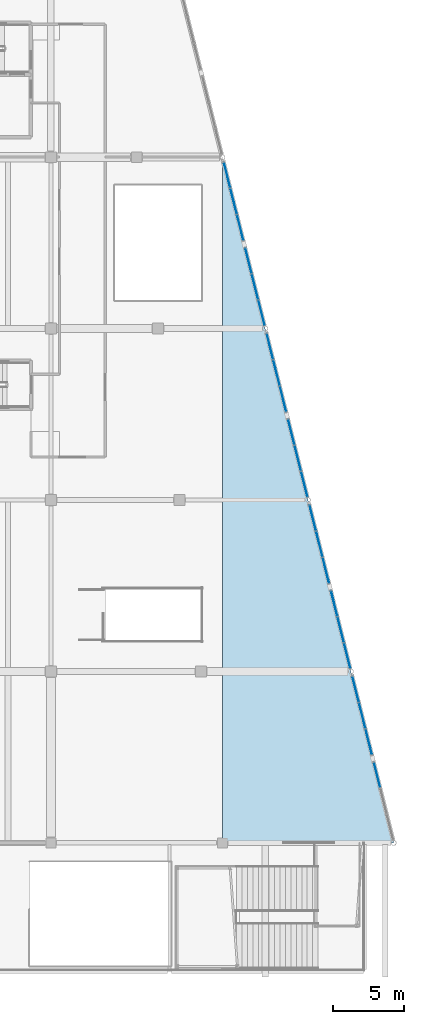
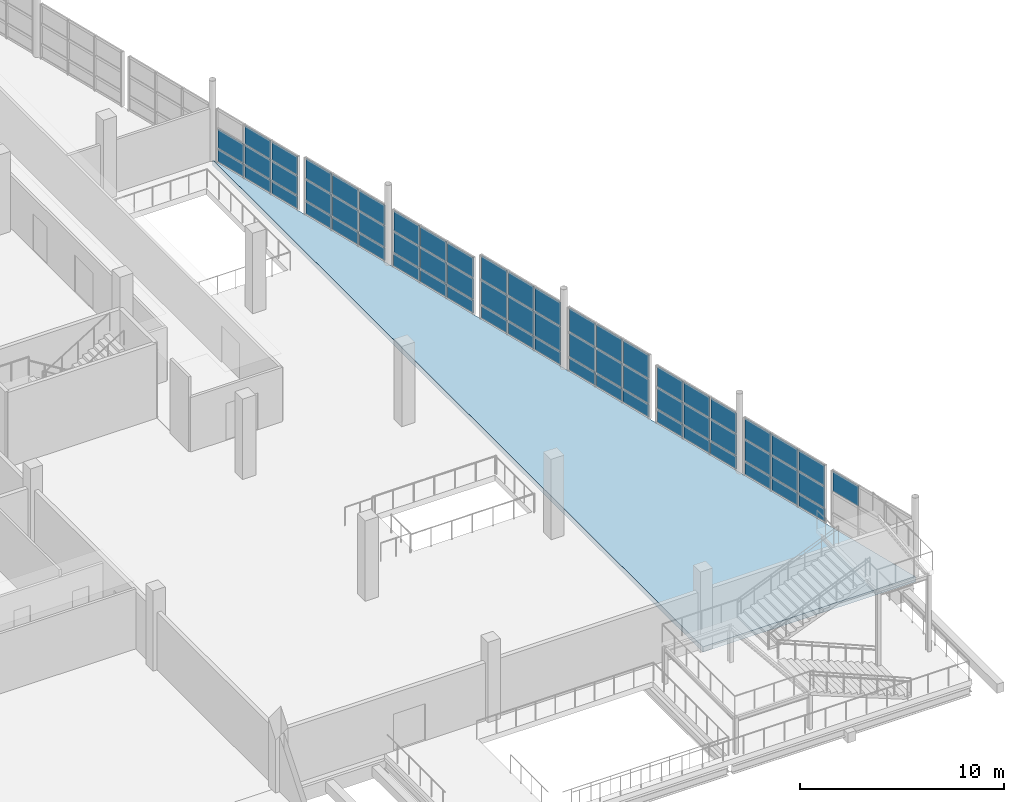
# One storey, part 65 of 112: 63 plates, 1 slab, 8 elements without a shape of their own.
"""IFC4 building model written with IfcOpenShell, lengths in metres."""

from ifc_helpers import new_model, si_unit, direction, frame, origin, origin_2d, place, context, subcontext, project, spatial, polyline, rectangle, outline, extrude, material, layer, layer_set, type_object, element, aggregate, save


model = new_model("IFC4")

# Units and contexts
model_context = context("Model", 3, precision=1e-05, world=origin(), true_north=direction((0.0, 1.0)))
body_context = subcontext(model_context, "Body", "Model", "MODEL_VIEW")
ifc_project = project(units=[si_unit("LENGTHUNIT", "METRE"), si_unit("AREAUNIT", "SQUARE_METRE"), si_unit("VOLUMEUNIT", "CUBIC_METRE"), si_unit("PLANEANGLEUNIT", "RADIAN"), si_unit("MASSUNIT", "GRAM", prefix="KILO")], contexts=[model_context])

# Site, building, storey
site_placement = place(None, origin())
site = spatial("IfcSite", under=ifc_project, at=site_placement, CompositionType="ELEMENT")
building_placement = place(site_placement, origin())
building = spatial("IfcBuilding", under=site, at=building_placement, Name="Kamomehara Wholesale Market", CompositionType="ELEMENT")
storey_placement = place(building_placement, frame((0.0, 0.0, 6.60009765625)))
storey = spatial("IfcBuildingStorey", under=building, at=storey_placement, Name="L01", CompositionType="ELEMENT", Elevation=6.60009765625)

# Curtain wall, plates
ifc_material_1 = material(Name="Anodised aluminium 6063-T5", Category="aluminium")
curtain_wall_type = type_object("IfcCurtainWallType", Name="CW-UN-09", PredefinedType="NOTDEFINED", material=ifc_material_1)
curtain_wall_1_placement = place(storey_placement, origin())
curtain_wall_1 = element("IfcCurtainWall", 1, at=curtain_wall_1_placement, inside=storey, type_object=curtain_wall_type, Name="Unitised curtain wall CW-177", PredefinedType="NOTDEFINED")
ifc_material_2 = material(Name="Solar-control Low-E double glazing", Category="glass")
ifc_layer_1 = layer(ifc_material_2, 0.028076171875)
ifc_layer_set_1 = layer_set([ifc_layer_1], Name="Solar-control Low-E double glazing")
plate_type_1 = type_object("IfcPlateType", Name="CW-PNL-GLZ", PredefinedType="CURTAIN_PANEL", material=ifc_layer_set_1)
plate_1_placement = place(storey_placement, frame((201.333984375, 34.74609375, 0.88037109375), z_axis=(0.0, 0.0, 1.0), x_axis=(0.242616162662, -0.970122362187, 0.0)))
plate_1 = element("IfcPlate", 2, at=plate_1_placement, type_object=plate_type_1, Name="Curtain panel CW-177.0.1", PredefinedType="CURTAIN_PANEL", context=body_context, shape_type="SweptSolid", body=[
    extrude(rectangle(XDim=1.81494140625, YDim=0.028076171875, at=origin_2d()), origin(), (0.0, 0.0, 1.0), 1.259033203125),
])
plate_2_placement = place(storey_placement, frame((201.333984375, 34.74609375, 2.19921875), z_axis=(0.0, 0.0, 1.0), x_axis=(0.242616162662, -0.970122362187, 0.0)))
plate_2 = element("IfcPlate", 3, at=plate_2_placement, type_object=plate_type_1, Name="Curtain panel CW-177.0.2", PredefinedType="CURTAIN_PANEL", context=body_context, shape_type="SweptSolid", body=[
    extrude(rectangle(XDim=1.81494140625, YDim=0.028076171875, at=origin_2d()), origin(), (0.0, 0.0, 1.0), 1.218994140625),
])
plate_3_placement = place(storey_placement, frame((201.7939453125, 32.907958984375, 0.88037109375), z_axis=(0.0, 0.0, 1.0), x_axis=(0.242616162662, -0.970122362187, 0.0)))
plate_3 = element("IfcPlate", 4, at=plate_3_placement, type_object=plate_type_1, Name="Curtain panel CW-177.1.1", PredefinedType="CURTAIN_PANEL", context=body_context, shape_type="SweptSolid", body=[
    extrude(rectangle(XDim=1.81494140625, YDim=0.028076171875, at=origin_2d()), origin(), (0.0, 0.0, 1.0), 1.259033203125),
])
plate_4_placement = place(storey_placement, frame((201.7939453125, 32.907958984375, 2.19921875), z_axis=(0.0, 0.0, 1.0), x_axis=(0.242616162662, -0.970122362187, 0.0)))
plate_4 = element("IfcPlate", 5, at=plate_4_placement, type_object=plate_type_1, Name="Curtain panel CW-177.1.2", PredefinedType="CURTAIN_PANEL", context=body_context, shape_type="SweptSolid", body=[
    extrude(rectangle(XDim=1.81494140625, YDim=0.028076171875, at=origin_2d()), origin(), (0.0, 0.0, 1.0), 1.218994140625),
])
plate_5_placement = place(storey_placement, frame((202.25390625, 31.070068359375, 0.88037109375), z_axis=(0.0, 0.0, 1.0), x_axis=(0.242616162662, -0.970122362187, 0.0)))
plate_5 = element("IfcPlate", 6, at=plate_5_placement, type_object=plate_type_1, Name="Curtain panel CW-177.2.1", PredefinedType="CURTAIN_PANEL", context=body_context, shape_type="SweptSolid", body=[
    extrude(rectangle(XDim=1.81494140625, YDim=0.028076171875, at=origin_2d()), origin(), (0.0, 0.0, 1.0), 1.259033203125),
])
plate_6_placement = place(storey_placement, frame((202.25390625, 31.070068359375, 2.19921875), z_axis=(0.0, 0.0, 1.0), x_axis=(0.242616162662, -0.970122362187, 0.0)))
plate_6 = element("IfcPlate", 7, at=plate_6_placement, type_object=plate_type_1, Name="Curtain panel CW-177.2.2", PredefinedType="CURTAIN_PANEL", context=body_context, shape_type="SweptSolid", body=[
    extrude(rectangle(XDim=1.81494140625, YDim=0.028076171875, at=origin_2d()), origin(), (0.0, 0.0, 1.0), 1.218994140625),
])

# Curtain wall, plate
curtain_wall_2_placement = place(storey_placement, origin())
curtain_wall_2 = element("IfcCurtainWall", 8, at=curtain_wall_2_placement, inside=storey, type_object=curtain_wall_type, Name="Unitised curtain wall CW-178", PredefinedType="NOTDEFINED")
plate_7_placement = place(storey_placement, frame((202.8330078125, 28.751953125, 2.17626953125), z_axis=(0.0, 0.0, 1.0), x_axis=(0.242446840674, -0.97016469192, 0.0)))
plate_7 = element("IfcPlate", 9, at=plate_7_placement, type_object=plate_type_1, Name="Curtain panel CW-178.0.2", PredefinedType="CURTAIN_PANEL", context=body_context, shape_type="SweptSolid", body=[
    extrude(rectangle(XDim=1.802001953125, YDim=0.028076171875, at=origin_2d()), origin(), (0.0, 0.0, 1.0), 1.197021484375),
])
aggregate(curtain_wall_2, [plate_7])

# Curtain wall, plates
curtain_wall_3_placement = place(storey_placement, origin())
curtain_wall_3 = element("IfcCurtainWall", 10, at=curtain_wall_3_placement, inside=storey, type_object=curtain_wall_type, Name="Unitised curtain wall CW-179", PredefinedType="NOTDEFINED")
plate_8_placement = place(storey_placement, frame((198.333984375, 46.74609375, 0.8798828125), z_axis=(0.0, 0.0, 1.0), x_axis=(0.242616162662, -0.970122362187, 0.0)))
plate_8 = element("IfcPlate", 11, at=plate_8_placement, type_object=plate_type_1, Name="Curtain panel CW-179.0.1", PredefinedType="CURTAIN_PANEL", context=body_context, shape_type="SweptSolid", body=[
    extrude(rectangle(XDim=1.81494140625, YDim=0.028076171875, at=origin_2d()), origin(), (0.0, 0.0, 1.0), 1.43994140625),
])
plate_9_placement = place(storey_placement, frame((198.333984375, 46.74609375, 2.3798828125), z_axis=(0.0, 0.0, 1.0), x_axis=(0.242616162662, -0.970122362187, 0.0)))
plate_9 = element("IfcPlate", 12, at=plate_9_placement, type_object=plate_type_1, Name="Curtain panel CW-179.0.2", PredefinedType="CURTAIN_PANEL", context=body_context, shape_type="SweptSolid", body=[
    extrude(rectangle(XDim=1.81494140625, YDim=0.028076171875, at=origin_2d()), origin(), (0.0, 0.0, 1.0), 1.39990234375),
])
plate_10_placement = place(storey_placement, frame((198.7939453125, 44.907958984375, 0.8798828125), z_axis=(0.0, 0.0, 1.0), x_axis=(0.242616162662, -0.970122362187, 0.0)))
plate_10 = element("IfcPlate", 13, at=plate_10_placement, type_object=plate_type_1, Name="Curtain panel CW-179.1.1", PredefinedType="CURTAIN_PANEL", context=body_context, shape_type="SweptSolid", body=[
    extrude(rectangle(XDim=1.81494140625, YDim=0.028076171875, at=origin_2d()), origin(), (0.0, 0.0, 1.0), 1.43994140625),
])
plate_11_placement = place(storey_placement, frame((198.7939453125, 44.907958984375, 2.3798828125), z_axis=(0.0, 0.0, 1.0), x_axis=(0.242616162662, -0.970122362187, 0.0)))
plate_11 = element("IfcPlate", 14, at=plate_11_placement, type_object=plate_type_1, Name="Curtain panel CW-179.1.2", PredefinedType="CURTAIN_PANEL", context=body_context, shape_type="SweptSolid", body=[
    extrude(rectangle(XDim=1.81494140625, YDim=0.028076171875, at=origin_2d()), origin(), (0.0, 0.0, 1.0), 1.39990234375),
])
plate_12_placement = place(storey_placement, frame((199.25390625, 43.070068359375, 0.8798828125), z_axis=(0.0, 0.0, 1.0), x_axis=(0.242616162662, -0.970122362187, 0.0)))
plate_12 = element("IfcPlate", 15, at=plate_12_placement, type_object=plate_type_1, Name="Curtain panel CW-179.2.1", PredefinedType="CURTAIN_PANEL", context=body_context, shape_type="SweptSolid", body=[
    extrude(rectangle(XDim=1.81494140625, YDim=0.028076171875, at=origin_2d()), origin(), (0.0, 0.0, 1.0), 1.43994140625),
])
plate_13_placement = place(storey_placement, frame((199.25390625, 43.070068359375, 2.3798828125), z_axis=(0.0, 0.0, 1.0), x_axis=(0.242616162662, -0.970122362187, 0.0)))
plate_13 = element("IfcPlate", 16, at=plate_13_placement, type_object=plate_type_1, Name="Curtain panel CW-179.2.2", PredefinedType="CURTAIN_PANEL", context=body_context, shape_type="SweptSolid", body=[
    extrude(rectangle(XDim=1.81494140625, YDim=0.028076171875, at=origin_2d()), origin(), (0.0, 0.0, 1.0), 1.39990234375),
])

curtain_wall_4_placement = place(storey_placement, origin())
curtain_wall_4 = element("IfcCurtainWall", 17, at=curtain_wall_4_placement, inside=storey, type_object=curtain_wall_type, Name="Unitised curtain wall CW-180", PredefinedType="NOTDEFINED")
plate_14_placement = place(storey_placement, frame((199.8330078125, 40.751953125, 0.88037109375), z_axis=(0.0, 0.0, 1.0), x_axis=(0.242446840674, -0.97016469192, 0.0)))
plate_14 = element("IfcPlate", 18, at=plate_14_placement, type_object=plate_type_1, Name="Curtain panel CW-180.0.1", PredefinedType="CURTAIN_PANEL", context=body_context, shape_type="SweptSolid", body=[
    extrude(rectangle(XDim=1.802001953125, YDim=0.028076171875, at=origin_2d()), origin(), (0.0, 0.0, 1.0), 1.259033203125),
])
plate_15_placement = place(storey_placement, frame((199.8330078125, 40.751953125, 2.19921875), z_axis=(0.0, 0.0, 1.0), x_axis=(0.242446840674, -0.97016469192, 0.0)))
plate_15 = element("IfcPlate", 19, at=plate_15_placement, type_object=plate_type_1, Name="Curtain panel CW-180.0.2", PredefinedType="CURTAIN_PANEL", context=body_context, shape_type="SweptSolid", body=[
    extrude(rectangle(XDim=1.802001953125, YDim=0.028076171875, at=origin_2d()), origin(), (0.0, 0.0, 1.0), 1.218994140625),
])
plate_16_placement = place(storey_placement, frame((200.2890625, 38.926025390625, 0.88037109375), z_axis=(0.0, 0.0, 1.0), x_axis=(0.242446840674, -0.97016469192, 0.0)))
plate_16 = element("IfcPlate", 20, at=plate_16_placement, type_object=plate_type_1, Name="Curtain panel CW-180.1.1", PredefinedType="CURTAIN_PANEL", context=body_context, shape_type="SweptSolid", body=[
    extrude(rectangle(XDim=1.802001953125, YDim=0.028076171875, at=origin_2d()), origin(), (0.0, 0.0, 1.0), 1.259033203125),
])
plate_17_placement = place(storey_placement, frame((200.2890625, 38.926025390625, 2.19921875), z_axis=(0.0, 0.0, 1.0), x_axis=(0.242446840674, -0.97016469192, 0.0)))
plate_17 = element("IfcPlate", 21, at=plate_17_placement, type_object=plate_type_1, Name="Curtain panel CW-180.1.2", PredefinedType="CURTAIN_PANEL", context=body_context, shape_type="SweptSolid", body=[
    extrude(rectangle(XDim=1.802001953125, YDim=0.028076171875, at=origin_2d()), origin(), (0.0, 0.0, 1.0), 1.218994140625),
])
plate_18_placement = place(storey_placement, frame((200.7451171875, 37.10009765625, 0.88037109375), z_axis=(0.0, 0.0, 1.0), x_axis=(0.242446840674, -0.97016469192, 0.0)))
plate_18 = element("IfcPlate", 22, at=plate_18_placement, type_object=plate_type_1, Name="Curtain panel CW-180.2.1", PredefinedType="CURTAIN_PANEL", context=body_context, shape_type="SweptSolid", body=[
    extrude(rectangle(XDim=1.802001953125, YDim=0.028076171875, at=origin_2d()), origin(), (0.0, 0.0, 1.0), 1.259033203125),
])
plate_19_placement = place(storey_placement, frame((200.7451171875, 37.10009765625, 2.19921875), z_axis=(0.0, 0.0, 1.0), x_axis=(0.242446840674, -0.97016469192, 0.0)))
plate_19 = element("IfcPlate", 23, at=plate_19_placement, type_object=plate_type_1, Name="Curtain panel CW-180.2.2", PredefinedType="CURTAIN_PANEL", context=body_context, shape_type="SweptSolid", body=[
    extrude(rectangle(XDim=1.802001953125, YDim=0.028076171875, at=origin_2d()), origin(), (0.0, 0.0, 1.0), 1.218994140625),
])

curtain_wall_5_placement = place(storey_placement, origin())
curtain_wall_5 = element("IfcCurtainWall", 24, at=curtain_wall_5_placement, inside=storey, type_object=curtain_wall_type, Name="Unitised curtain wall CW-181", PredefinedType="NOTDEFINED")
plate_20_placement = place(storey_placement, frame((195.333984375, 58.74609375, 0.88037109375), z_axis=(0.0, 0.0, 1.0), x_axis=(0.242616162662, -0.970122362187, 0.0)))
plate_20 = element("IfcPlate", 25, at=plate_20_placement, type_object=plate_type_1, Name="Curtain panel CW-181.0.1", PredefinedType="CURTAIN_PANEL", context=body_context, shape_type="SweptSolid", body=[
    extrude(rectangle(XDim=1.81494140625, YDim=0.028076171875, at=origin_2d()), origin(), (0.0, 0.0, 1.0), 1.239013671875),
])
plate_21_placement = place(storey_placement, frame((195.333984375, 58.74609375, 2.17822265625), z_axis=(0.0, 0.0, 1.0), x_axis=(0.242616162662, -0.970122362187, 0.0)))
plate_21 = element("IfcPlate", 26, at=plate_21_placement, type_object=plate_type_1, Name="Curtain panel CW-181.0.2", PredefinedType="CURTAIN_PANEL", context=body_context, shape_type="SweptSolid", body=[
    extrude(rectangle(XDim=1.81494140625, YDim=0.028076171875, at=origin_2d()), origin(), (0.0, 0.0, 1.0), 1.198974609375),
])
plate_22_placement = place(storey_placement, frame((195.7939453125, 56.907958984375, 0.88037109375), z_axis=(0.0, 0.0, 1.0), x_axis=(0.242616162662, -0.970122362187, 0.0)))
plate_22 = element("IfcPlate", 27, at=plate_22_placement, type_object=plate_type_1, Name="Curtain panel CW-181.1.1", PredefinedType="CURTAIN_PANEL", context=body_context, shape_type="SweptSolid", body=[
    extrude(rectangle(XDim=1.81494140625, YDim=0.028076171875, at=origin_2d()), origin(), (0.0, 0.0, 1.0), 1.239013671875),
])
plate_23_placement = place(storey_placement, frame((195.7939453125, 56.907958984375, 2.17822265625), z_axis=(0.0, 0.0, 1.0), x_axis=(0.242616162662, -0.970122362187, 0.0)))
plate_23 = element("IfcPlate", 28, at=plate_23_placement, type_object=plate_type_1, Name="Curtain panel CW-181.1.2", PredefinedType="CURTAIN_PANEL", context=body_context, shape_type="SweptSolid", body=[
    extrude(rectangle(XDim=1.81494140625, YDim=0.028076171875, at=origin_2d()), origin(), (0.0, 0.0, 1.0), 1.198974609375),
])
plate_24_placement = place(storey_placement, frame((196.25390625, 55.070068359375, 0.88037109375), z_axis=(0.0, 0.0, 1.0), x_axis=(0.242616162662, -0.970122362187, 0.0)))
plate_24 = element("IfcPlate", 29, at=plate_24_placement, type_object=plate_type_1, Name="Curtain panel CW-181.2.1", PredefinedType="CURTAIN_PANEL", context=body_context, shape_type="SweptSolid", body=[
    extrude(rectangle(XDim=1.81494140625, YDim=0.028076171875, at=origin_2d()), origin(), (0.0, 0.0, 1.0), 1.239013671875),
])
plate_25_placement = place(storey_placement, frame((196.25390625, 55.070068359375, 2.17822265625), z_axis=(0.0, 0.0, 1.0), x_axis=(0.242616162662, -0.970122362187, 0.0)))
plate_25 = element("IfcPlate", 30, at=plate_25_placement, type_object=plate_type_1, Name="Curtain panel CW-181.2.2", PredefinedType="CURTAIN_PANEL", context=body_context, shape_type="SweptSolid", body=[
    extrude(rectangle(XDim=1.81494140625, YDim=0.028076171875, at=origin_2d()), origin(), (0.0, 0.0, 1.0), 1.198974609375),
])

curtain_wall_6_placement = place(storey_placement, origin())
curtain_wall_6 = element("IfcCurtainWall", 31, at=curtain_wall_6_placement, inside=storey, type_object=curtain_wall_type, Name="Unitised curtain wall CW-182", PredefinedType="NOTDEFINED")
plate_26_placement = place(storey_placement, frame((196.8330078125, 52.751953125, 0.88037109375), z_axis=(0.0, 0.0, 1.0), x_axis=(0.242446840674, -0.97016469192, 0.0)))
plate_26 = element("IfcPlate", 32, at=plate_26_placement, type_object=plate_type_1, Name="Curtain panel CW-182.0.1", PredefinedType="CURTAIN_PANEL", context=body_context, shape_type="SweptSolid", body=[
    extrude(rectangle(XDim=1.802001953125, YDim=0.028076171875, at=origin_2d()), origin(), (0.0, 0.0, 1.0), 1.445068359375),
])
plate_27_placement = place(storey_placement, frame((196.8330078125, 52.751953125, 2.38525390625), z_axis=(0.0, 0.0, 1.0), x_axis=(0.242446840674, -0.97016469192, 0.0)))
plate_27 = element("IfcPlate", 33, at=plate_27_placement, type_object=plate_type_1, Name="Curtain panel CW-182.0.2", PredefinedType="CURTAIN_PANEL", context=body_context, shape_type="SweptSolid", body=[
    extrude(rectangle(XDim=1.802001953125, YDim=0.028076171875, at=origin_2d()), origin(), (0.0, 0.0, 1.0), 1.405029296875),
])
plate_28_placement = place(storey_placement, frame((197.2890625, 50.926025390625, 0.88037109375), z_axis=(0.0, 0.0, 1.0), x_axis=(0.242446840674, -0.97016469192, 0.0)))
plate_28 = element("IfcPlate", 34, at=plate_28_placement, type_object=plate_type_1, Name="Curtain panel CW-182.1.1", PredefinedType="CURTAIN_PANEL", context=body_context, shape_type="SweptSolid", body=[
    extrude(rectangle(XDim=1.802001953125, YDim=0.028076171875, at=origin_2d()), origin(), (0.0, 0.0, 1.0), 1.445068359375),
])
plate_29_placement = place(storey_placement, frame((197.2890625, 50.926025390625, 2.38525390625), z_axis=(0.0, 0.0, 1.0), x_axis=(0.242446840674, -0.97016469192, 0.0)))
plate_29 = element("IfcPlate", 35, at=plate_29_placement, type_object=plate_type_1, Name="Curtain panel CW-182.1.2", PredefinedType="CURTAIN_PANEL", context=body_context, shape_type="SweptSolid", body=[
    extrude(rectangle(XDim=1.802001953125, YDim=0.028076171875, at=origin_2d()), origin(), (0.0, 0.0, 1.0), 1.405029296875),
])
plate_30_placement = place(storey_placement, frame((197.7451171875, 49.10009765625, 0.88037109375), z_axis=(0.0, 0.0, 1.0), x_axis=(0.242446840674, -0.97016469192, 0.0)))
plate_30 = element("IfcPlate", 36, at=plate_30_placement, type_object=plate_type_1, Name="Curtain panel CW-182.2.1", PredefinedType="CURTAIN_PANEL", context=body_context, shape_type="SweptSolid", body=[
    extrude(rectangle(XDim=1.802001953125, YDim=0.028076171875, at=origin_2d()), origin(), (0.0, 0.0, 1.0), 1.445068359375),
])
plate_31_placement = place(storey_placement, frame((197.7451171875, 49.10009765625, 2.38525390625), z_axis=(0.0, 0.0, 1.0), x_axis=(0.242446840674, -0.97016469192, 0.0)))
plate_31 = element("IfcPlate", 37, at=plate_31_placement, type_object=plate_type_1, Name="Curtain panel CW-182.2.2", PredefinedType="CURTAIN_PANEL", context=body_context, shape_type="SweptSolid", body=[
    extrude(rectangle(XDim=1.802001953125, YDim=0.028076171875, at=origin_2d()), origin(), (0.0, 0.0, 1.0), 1.405029296875),
])

curtain_wall_7_placement = place(storey_placement, origin())
curtain_wall_7 = element("IfcCurtainWall", 38, at=curtain_wall_7_placement, inside=storey, type_object=curtain_wall_type, Name="Unitised curtain wall CW-183", PredefinedType="NOTDEFINED")
plate_32_placement = place(storey_placement, frame((192.333984375, 70.74609375, 0.88037109375), z_axis=(0.0, 0.0, 1.0), x_axis=(0.242616162662, -0.970122362187, 0.0)))
plate_32 = element("IfcPlate", 39, at=plate_32_placement, type_object=plate_type_1, Name="Curtain panel CW-183.0.1", PredefinedType="CURTAIN_PANEL", context=body_context, shape_type="SweptSolid", body=[
    extrude(rectangle(XDim=1.81494140625, YDim=0.028076171875, at=origin_2d()), origin(), (0.0, 0.0, 1.0), 1.138916015625),
])
plate_33_placement = place(storey_placement, frame((192.7939453125, 68.907958984375, 0.88037109375), z_axis=(0.0, 0.0, 1.0), x_axis=(0.242616162662, -0.970122362187, 0.0)))
plate_33 = element("IfcPlate", 40, at=plate_33_placement, type_object=plate_type_1, Name="Curtain panel CW-183.1.1", PredefinedType="CURTAIN_PANEL", context=body_context, shape_type="SweptSolid", body=[
    extrude(rectangle(XDim=1.81494140625, YDim=0.028076171875, at=origin_2d()), origin(), (0.0, 0.0, 1.0), 1.138916015625),
])
plate_34_placement = place(storey_placement, frame((192.7939453125, 68.907958984375, 2.079345703125), z_axis=(0.0, 0.0, 1.0), x_axis=(0.242616162662, -0.970122362187, 0.0)))
plate_34 = element("IfcPlate", 41, at=plate_34_placement, type_object=plate_type_1, Name="Curtain panel CW-183.1.2", PredefinedType="CURTAIN_PANEL", context=body_context, shape_type="SweptSolid", body=[
    extrude(rectangle(XDim=1.81494140625, YDim=0.028076171875, at=origin_2d()), origin(), (0.0, 0.0, 1.0), 1.09912109375),
])
plate_35_placement = place(storey_placement, frame((193.25390625, 67.070068359375, 0.88037109375), z_axis=(0.0, 0.0, 1.0), x_axis=(0.242616162662, -0.970122362187, 0.0)))
plate_35 = element("IfcPlate", 42, at=plate_35_placement, type_object=plate_type_1, Name="Curtain panel CW-183.2.1", PredefinedType="CURTAIN_PANEL", context=body_context, shape_type="SweptSolid", body=[
    extrude(rectangle(XDim=1.81494140625, YDim=0.028076171875, at=origin_2d()), origin(), (0.0, 0.0, 1.0), 1.138916015625),
])
plate_36_placement = place(storey_placement, frame((193.25390625, 67.070068359375, 2.079345703125), z_axis=(0.0, 0.0, 1.0), x_axis=(0.242616162662, -0.970122362187, 0.0)))
plate_36 = element("IfcPlate", 43, at=plate_36_placement, type_object=plate_type_1, Name="Curtain panel CW-183.2.2", PredefinedType="CURTAIN_PANEL", context=body_context, shape_type="SweptSolid", body=[
    extrude(rectangle(XDim=1.81494140625, YDim=0.028076171875, at=origin_2d()), origin(), (0.0, 0.0, 1.0), 1.09912109375),
])

curtain_wall_8_placement = place(storey_placement, origin())
curtain_wall_8 = element("IfcCurtainWall", 44, at=curtain_wall_8_placement, inside=storey, type_object=curtain_wall_type, Name="Unitised curtain wall CW-184", PredefinedType="NOTDEFINED")
plate_37_placement = place(storey_placement, frame((193.8330078125, 64.751953125, 0.88037109375), z_axis=(0.0, 0.0, 1.0), x_axis=(0.242446840674, -0.97016469192, 0.0)))
plate_37 = element("IfcPlate", 45, at=plate_37_placement, type_object=plate_type_1, Name="Curtain panel CW-184.0.1", PredefinedType="CURTAIN_PANEL", context=body_context, shape_type="SweptSolid", body=[
    extrude(rectangle(XDim=1.802001953125, YDim=0.028076171875, at=origin_2d()), origin(), (0.0, 0.0, 1.0), 1.239013671875),
])
plate_38_placement = place(storey_placement, frame((193.8330078125, 64.751953125, 2.17822265625), z_axis=(0.0, 0.0, 1.0), x_axis=(0.242446840674, -0.97016469192, 0.0)))
plate_38 = element("IfcPlate", 46, at=plate_38_placement, type_object=plate_type_1, Name="Curtain panel CW-184.0.2", PredefinedType="CURTAIN_PANEL", context=body_context, shape_type="SweptSolid", body=[
    extrude(rectangle(XDim=1.802001953125, YDim=0.028076171875, at=origin_2d()), origin(), (0.0, 0.0, 1.0), 1.198974609375),
])
plate_39_placement = place(storey_placement, frame((194.2890625, 62.926025390625, 0.88037109375), z_axis=(0.0, 0.0, 1.0), x_axis=(0.242446840674, -0.97016469192, 0.0)))
plate_39 = element("IfcPlate", 47, at=plate_39_placement, type_object=plate_type_1, Name="Curtain panel CW-184.1.1", PredefinedType="CURTAIN_PANEL", context=body_context, shape_type="SweptSolid", body=[
    extrude(rectangle(XDim=1.802001953125, YDim=0.028076171875, at=origin_2d()), origin(), (0.0, 0.0, 1.0), 1.239013671875),
])
plate_40_placement = place(storey_placement, frame((194.2890625, 62.926025390625, 2.17822265625), z_axis=(0.0, 0.0, 1.0), x_axis=(0.242446840674, -0.97016469192, 0.0)))
plate_40 = element("IfcPlate", 48, at=plate_40_placement, type_object=plate_type_1, Name="Curtain panel CW-184.1.2", PredefinedType="CURTAIN_PANEL", context=body_context, shape_type="SweptSolid", body=[
    extrude(rectangle(XDim=1.802001953125, YDim=0.028076171875, at=origin_2d()), origin(), (0.0, 0.0, 1.0), 1.198974609375),
])
plate_41_placement = place(storey_placement, frame((194.7451171875, 61.10009765625, 0.88037109375), z_axis=(0.0, 0.0, 1.0), x_axis=(0.242446840674, -0.97016469192, 0.0)))
plate_41 = element("IfcPlate", 49, at=plate_41_placement, type_object=plate_type_1, Name="Curtain panel CW-184.2.1", PredefinedType="CURTAIN_PANEL", context=body_context, shape_type="SweptSolid", body=[
    extrude(rectangle(XDim=1.802001953125, YDim=0.028076171875, at=origin_2d()), origin(), (0.0, 0.0, 1.0), 1.239013671875),
])
plate_42_placement = place(storey_placement, frame((194.7451171875, 61.10009765625, 2.17822265625), z_axis=(0.0, 0.0, 1.0), x_axis=(0.242446840674, -0.97016469192, 0.0)))
plate_42 = element("IfcPlate", 50, at=plate_42_placement, type_object=plate_type_1, Name="Curtain panel CW-184.2.2", PredefinedType="CURTAIN_PANEL", context=body_context, shape_type="SweptSolid", body=[
    extrude(rectangle(XDim=1.802001953125, YDim=0.028076171875, at=origin_2d()), origin(), (0.0, 0.0, 1.0), 1.198974609375),
])

# Plate
ifc_material_3 = material(Name="Insulated aluminium spandrel panel", Category="aluminium")
ifc_layer_2 = layer(ifc_material_3, 0.0400390625)
ifc_layer_set_2 = layer_set([ifc_layer_2], Name="Insulated aluminium spandrel panel")
plate_type_2 = type_object("IfcPlateType", Name="CW-PNL-SPN", PredefinedType="CURTAIN_PANEL", material=ifc_layer_set_2)
plate_43_placement = place(storey_placement, frame((201.333984375, 34.74609375, 0.06982421875), z_axis=(0.0, 0.0, 1.0), x_axis=(0.242616162662, -0.970122362187, 0.0)))
plate_43 = element("IfcPlate", 51, at=plate_43_placement, type_object=plate_type_2, Name="Curtain panel CW-177.0.0", PredefinedType="CURTAIN_PANEL", context=body_context, shape_type="SweptSolid", body=[
    extrude(rectangle(XDim=1.81494140625, YDim=0.0400390625, at=origin_2d()), origin(), (0.0, 0.0, 1.0), 0.75),
])

plate_44_placement = place(storey_placement, frame((201.7939453125, 32.907958984375, 0.06982421875), z_axis=(0.0, 0.0, 1.0), x_axis=(0.242616162662, -0.970122362187, 0.0)))
plate_44 = element("IfcPlate", 52, at=plate_44_placement, type_object=plate_type_2, Name="Curtain panel CW-177.1.0", PredefinedType="CURTAIN_PANEL", context=body_context, shape_type="SweptSolid", body=[
    extrude(rectangle(XDim=1.81494140625, YDim=0.0400390625, at=origin_2d()), origin(), (0.0, 0.0, 1.0), 0.75),
])

plate_45_placement = place(storey_placement, frame((202.25390625, 31.070068359375, 0.06982421875), z_axis=(0.0, 0.0, 1.0), x_axis=(0.242616162662, -0.970122362187, 0.0)))
plate_45 = element("IfcPlate", 53, at=plate_45_placement, type_object=plate_type_2, Name="Curtain panel CW-177.2.0", PredefinedType="CURTAIN_PANEL", context=body_context, shape_type="SweptSolid", body=[
    extrude(rectangle(XDim=1.81494140625, YDim=0.0400390625, at=origin_2d()), origin(), (0.0, 0.0, 1.0), 0.75),
])

aggregate(curtain_wall_1, [plate_43, plate_1, plate_2, plate_44, plate_3, plate_4, plate_45, plate_5, plate_6])

plate_46_placement = place(storey_placement, frame((198.333984375, 46.74609375, 0.06982421875), z_axis=(0.0, 0.0, 1.0), x_axis=(0.242616162662, -0.970122362187, 0.0)))
plate_46 = element("IfcPlate", 54, at=plate_46_placement, type_object=plate_type_2, Name="Curtain panel CW-179.0.0", PredefinedType="CURTAIN_PANEL", context=body_context, shape_type="SweptSolid", body=[
    extrude(rectangle(XDim=1.81494140625, YDim=0.0400390625, at=origin_2d()), origin(), (0.0, 0.0, 1.0), 0.75),
])

plate_47_placement = place(storey_placement, frame((198.7939453125, 44.907958984375, 0.06982421875), z_axis=(0.0, 0.0, 1.0), x_axis=(0.242616162662, -0.970122362187, 0.0)))
plate_47 = element("IfcPlate", 55, at=plate_47_placement, type_object=plate_type_2, Name="Curtain panel CW-179.1.0", PredefinedType="CURTAIN_PANEL", context=body_context, shape_type="SweptSolid", body=[
    extrude(rectangle(XDim=1.81494140625, YDim=0.0400390625, at=origin_2d()), origin(), (0.0, 0.0, 1.0), 0.75),
])

plate_48_placement = place(storey_placement, frame((199.25390625, 43.070068359375, 0.06982421875), z_axis=(0.0, 0.0, 1.0), x_axis=(0.242616162662, -0.970122362187, 0.0)))
plate_48 = element("IfcPlate", 56, at=plate_48_placement, type_object=plate_type_2, Name="Curtain panel CW-179.2.0", PredefinedType="CURTAIN_PANEL", context=body_context, shape_type="SweptSolid", body=[
    extrude(rectangle(XDim=1.81494140625, YDim=0.0400390625, at=origin_2d()), origin(), (0.0, 0.0, 1.0), 0.75),
])

aggregate(curtain_wall_3, [plate_46, plate_8, plate_9, plate_47, plate_10, plate_11, plate_48, plate_12, plate_13])

plate_49_placement = place(storey_placement, frame((199.8330078125, 40.751953125, 0.06982421875), z_axis=(0.0, 0.0, 1.0), x_axis=(0.242446840674, -0.97016469192, 0.0)))
plate_49 = element("IfcPlate", 57, at=plate_49_placement, type_object=plate_type_2, Name="Curtain panel CW-180.0.0", PredefinedType="CURTAIN_PANEL", context=body_context, shape_type="SweptSolid", body=[
    extrude(rectangle(XDim=1.802001953125, YDim=0.0400390625, at=origin_2d()), origin(), (0.0, 0.0, 1.0), 0.75),
])

plate_50_placement = place(storey_placement, frame((200.2890625, 38.926025390625, 0.06982421875), z_axis=(0.0, 0.0, 1.0), x_axis=(0.242446840674, -0.97016469192, 0.0)))
plate_50 = element("IfcPlate", 58, at=plate_50_placement, type_object=plate_type_2, Name="Curtain panel CW-180.1.0", PredefinedType="CURTAIN_PANEL", context=body_context, shape_type="SweptSolid", body=[
    extrude(rectangle(XDim=1.802001953125, YDim=0.0400390625, at=origin_2d()), origin(), (0.0, 0.0, 1.0), 0.75),
])

plate_51_placement = place(storey_placement, frame((200.7451171875, 37.10009765625, 0.06982421875), z_axis=(0.0, 0.0, 1.0), x_axis=(0.242446840674, -0.97016469192, 0.0)))
plate_51 = element("IfcPlate", 59, at=plate_51_placement, type_object=plate_type_2, Name="Curtain panel CW-180.2.0", PredefinedType="CURTAIN_PANEL", context=body_context, shape_type="SweptSolid", body=[
    extrude(rectangle(XDim=1.802001953125, YDim=0.0400390625, at=origin_2d()), origin(), (0.0, 0.0, 1.0), 0.75),
])

aggregate(curtain_wall_4, [plate_49, plate_14, plate_15, plate_50, plate_16, plate_17, plate_51, plate_18, plate_19])

plate_52_placement = place(storey_placement, frame((195.333984375, 58.74609375, 0.06982421875), z_axis=(0.0, 0.0, 1.0), x_axis=(0.242616162662, -0.970122362187, 0.0)))
plate_52 = element("IfcPlate", 60, at=plate_52_placement, type_object=plate_type_2, Name="Curtain panel CW-181.0.0", PredefinedType="CURTAIN_PANEL", context=body_context, shape_type="SweptSolid", body=[
    extrude(rectangle(XDim=1.81494140625, YDim=0.0400390625, at=origin_2d()), origin(), (0.0, 0.0, 1.0), 0.75),
])

plate_53_placement = place(storey_placement, frame((195.7939453125, 56.907958984375, 0.06982421875), z_axis=(0.0, 0.0, 1.0), x_axis=(0.242616162662, -0.970122362187, 0.0)))
plate_53 = element("IfcPlate", 61, at=plate_53_placement, type_object=plate_type_2, Name="Curtain panel CW-181.1.0", PredefinedType="CURTAIN_PANEL", context=body_context, shape_type="SweptSolid", body=[
    extrude(rectangle(XDim=1.81494140625, YDim=0.0400390625, at=origin_2d()), origin(), (0.0, 0.0, 1.0), 0.75),
])

plate_54_placement = place(storey_placement, frame((196.25390625, 55.070068359375, 0.06982421875), z_axis=(0.0, 0.0, 1.0), x_axis=(0.242616162662, -0.970122362187, 0.0)))
plate_54 = element("IfcPlate", 62, at=plate_54_placement, type_object=plate_type_2, Name="Curtain panel CW-181.2.0", PredefinedType="CURTAIN_PANEL", context=body_context, shape_type="SweptSolid", body=[
    extrude(rectangle(XDim=1.81494140625, YDim=0.0400390625, at=origin_2d()), origin(), (0.0, 0.0, 1.0), 0.75),
])

aggregate(curtain_wall_5, [plate_52, plate_20, plate_21, plate_53, plate_22, plate_23, plate_54, plate_24, plate_25])

plate_55_placement = place(storey_placement, frame((196.8330078125, 52.751953125, 0.06982421875), z_axis=(0.0, 0.0, 1.0), x_axis=(0.242446840674, -0.97016469192, 0.0)))
plate_55 = element("IfcPlate", 63, at=plate_55_placement, type_object=plate_type_2, Name="Curtain panel CW-182.0.0", PredefinedType="CURTAIN_PANEL", context=body_context, shape_type="SweptSolid", body=[
    extrude(rectangle(XDim=1.802001953125, YDim=0.0400390625, at=origin_2d()), origin(), (0.0, 0.0, 1.0), 0.75),
])

plate_56_placement = place(storey_placement, frame((197.2890625, 50.926025390625, 0.06982421875), z_axis=(0.0, 0.0, 1.0), x_axis=(0.242446840674, -0.97016469192, 0.0)))
plate_56 = element("IfcPlate", 64, at=plate_56_placement, type_object=plate_type_2, Name="Curtain panel CW-182.1.0", PredefinedType="CURTAIN_PANEL", context=body_context, shape_type="SweptSolid", body=[
    extrude(rectangle(XDim=1.802001953125, YDim=0.0400390625, at=origin_2d()), origin(), (0.0, 0.0, 1.0), 0.75),
])

plate_57_placement = place(storey_placement, frame((197.7451171875, 49.10009765625, 0.06982421875), z_axis=(0.0, 0.0, 1.0), x_axis=(0.242446840674, -0.97016469192, 0.0)))
plate_57 = element("IfcPlate", 65, at=plate_57_placement, type_object=plate_type_2, Name="Curtain panel CW-182.2.0", PredefinedType="CURTAIN_PANEL", context=body_context, shape_type="SweptSolid", body=[
    extrude(rectangle(XDim=1.802001953125, YDim=0.0400390625, at=origin_2d()), origin(), (0.0, 0.0, 1.0), 0.75),
])

aggregate(curtain_wall_6, [plate_55, plate_26, plate_27, plate_56, plate_28, plate_29, plate_57, plate_30, plate_31])

plate_58_placement = place(storey_placement, frame((192.333984375, 70.74609375, 0.06982421875), z_axis=(0.0, 0.0, 1.0), x_axis=(0.242616162662, -0.970122362187, 0.0)))
plate_58 = element("IfcPlate", 66, at=plate_58_placement, type_object=plate_type_2, Name="Curtain panel CW-183.0.0", PredefinedType="CURTAIN_PANEL", context=body_context, shape_type="SweptSolid", body=[
    extrude(rectangle(XDim=1.81494140625, YDim=0.0400390625, at=origin_2d()), origin(), (0.0, 0.0, 1.0), 0.75),
])

plate_59_placement = place(storey_placement, frame((192.7939453125, 68.907958984375, 0.06982421875), z_axis=(0.0, 0.0, 1.0), x_axis=(0.242616162662, -0.970122362187, 0.0)))
plate_59 = element("IfcPlate", 67, at=plate_59_placement, type_object=plate_type_2, Name="Curtain panel CW-183.1.0", PredefinedType="CURTAIN_PANEL", context=body_context, shape_type="SweptSolid", body=[
    extrude(rectangle(XDim=1.81494140625, YDim=0.0400390625, at=origin_2d()), origin(), (0.0, 0.0, 1.0), 0.75),
])

plate_60_placement = place(storey_placement, frame((193.25390625, 67.070068359375, 0.06982421875), z_axis=(0.0, 0.0, 1.0), x_axis=(0.242616162662, -0.970122362187, 0.0)))
plate_60 = element("IfcPlate", 68, at=plate_60_placement, type_object=plate_type_2, Name="Curtain panel CW-183.2.0", PredefinedType="CURTAIN_PANEL", context=body_context, shape_type="SweptSolid", body=[
    extrude(rectangle(XDim=1.81494140625, YDim=0.0400390625, at=origin_2d()), origin(), (0.0, 0.0, 1.0), 0.75),
])

aggregate(curtain_wall_7, [plate_58, plate_32, plate_59, plate_33, plate_34, plate_60, plate_35, plate_36])

plate_61_placement = place(storey_placement, frame((193.8330078125, 64.751953125, 0.06982421875), z_axis=(0.0, 0.0, 1.0), x_axis=(0.242446840674, -0.97016469192, 0.0)))
plate_61 = element("IfcPlate", 69, at=plate_61_placement, type_object=plate_type_2, Name="Curtain panel CW-184.0.0", PredefinedType="CURTAIN_PANEL", context=body_context, shape_type="SweptSolid", body=[
    extrude(rectangle(XDim=1.802001953125, YDim=0.0400390625, at=origin_2d()), origin(), (0.0, 0.0, 1.0), 0.75),
])

plate_62_placement = place(storey_placement, frame((194.2890625, 62.926025390625, 0.06982421875), z_axis=(0.0, 0.0, 1.0), x_axis=(0.242446840674, -0.97016469192, 0.0)))
plate_62 = element("IfcPlate", 70, at=plate_62_placement, type_object=plate_type_2, Name="Curtain panel CW-184.1.0", PredefinedType="CURTAIN_PANEL", context=body_context, shape_type="SweptSolid", body=[
    extrude(rectangle(XDim=1.802001953125, YDim=0.0400390625, at=origin_2d()), origin(), (0.0, 0.0, 1.0), 0.75),
])

plate_63_placement = place(storey_placement, frame((194.7451171875, 61.10009765625, 0.06982421875), z_axis=(0.0, 0.0, 1.0), x_axis=(0.242446840674, -0.97016469192, 0.0)))
plate_63 = element("IfcPlate", 71, at=plate_63_placement, type_object=plate_type_2, Name="Curtain panel CW-184.2.0", PredefinedType="CURTAIN_PANEL", context=body_context, shape_type="SweptSolid", body=[
    extrude(rectangle(XDim=1.802001953125, YDim=0.0400390625, at=origin_2d()), origin(), (0.0, 0.0, 1.0), 0.75),
])

aggregate(curtain_wall_8, [plate_61, plate_37, plate_38, plate_62, plate_39, plate_40, plate_63, plate_41, plate_42])

# Slab
ifc_material_4 = material(Name="Concrete Fc36 (C35/45)", Category="concrete")
ifc_layer_3 = layer(ifc_material_4, 0.320068359375)
ifc_layer_set_3 = layer_set([ifc_layer_3], Name="Concrete Fc36 (C35/45)")
slab_type = type_object("IfcSlabType", Name="SLB-FLR-240", PredefinedType="FLOOR", material=ifc_layer_set_3)
slab_placement = place(storey_placement, frame((0.0, 0.0, -0.320068359375)))
element("IfcSlab", 72, at=slab_placement, inside=storey, type_object=slab_type, Name="Floor slab V2 L01 109", PredefinedType="FLOOR", context=body_context, shape_type="SweptSolid", body=[
    extrude(outline(polyline([(192.0, 72.0), (195.0, 60.0), (198.0, 48.0), (201.0, 36.0), (204.0, 24.0), (192.0, 24.0), (192.0, 72.0)])), origin(), (0.0, 0.0, 1.0), 0.320068359375),
])

save(model, "model.ifc")
